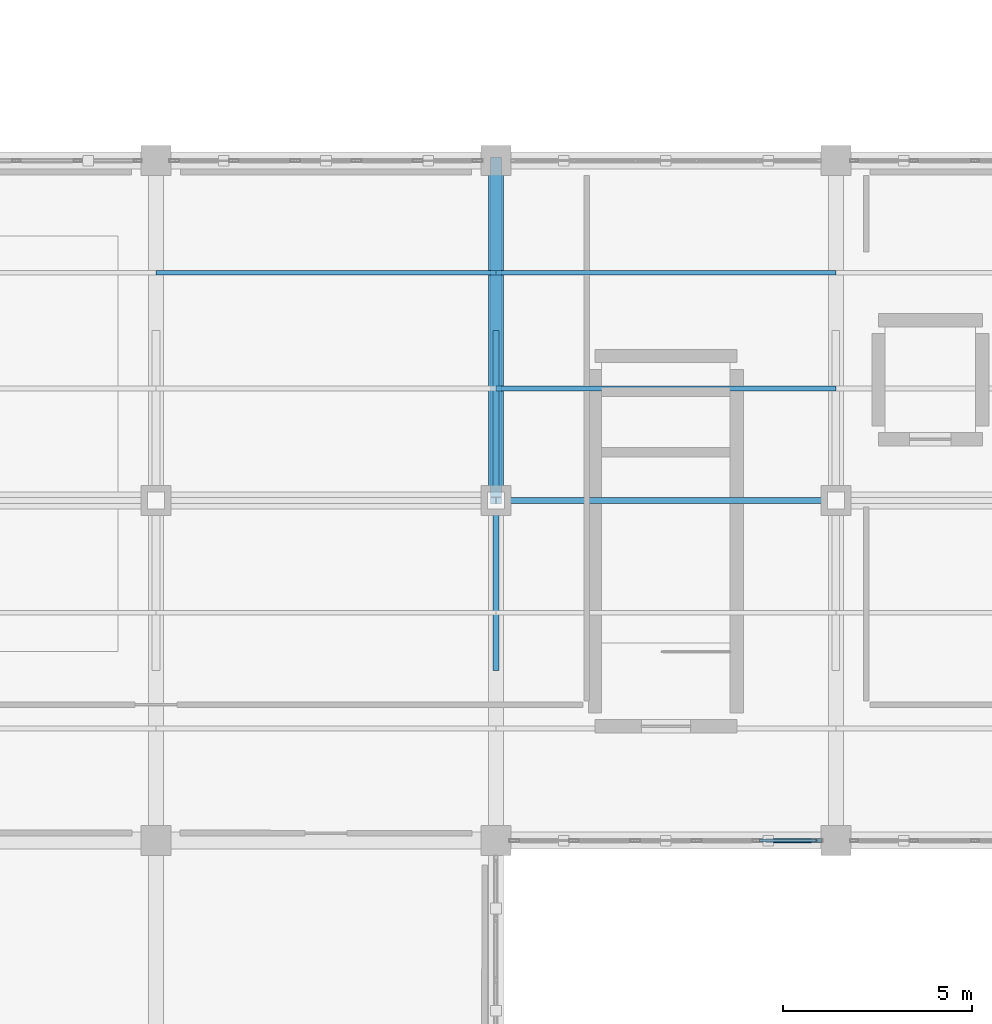
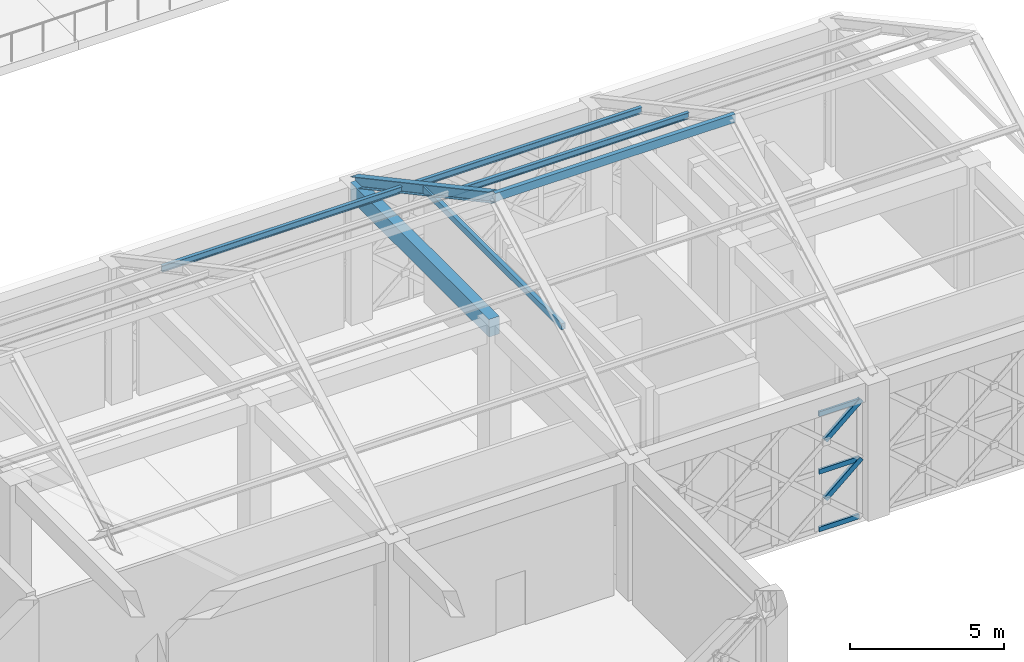
# One storey, part 52 of 86: 11 members, 1 beam, 1 element without a shape of its own.
"""IFC4 building model written with IfcOpenShell, lengths in metres."""

import ifcopenshell
import ifcopenshell.guid

model = None  # the IFC model being written
_history = None  # IfcOwnerHistory: only IFC2X3 demands one
_inside = {}  # id of a spatial element -> (the spatial element, [elements in it])
_under = {}  # id of a project, library or spatial element -> (it, [spatial elements below it])
_declared = {}  # id of a project -> (the project, [libraries it declares])
_typed = {}  # id of a type object -> (the type object, [elements of that type])
_made_of = {}  # id of a material, layer set ... -> (it, [elements and type objects made of it])


def new_model(schema):
    """Start an empty IFC model of exactly this schema.

    Asked for "IFC4X3", IfcOpenShell would pick the latest addendum, in which some entities
    have other attributes; the version numbers below select the first issue.
    IFC2X3 requires an IfcOwnerHistory on every rooted entity: one is made here for all.
    """
    global model, _history
    if schema == "IFC4X3":
        model = ifcopenshell.file(schema_version=(4, 3, 0, 0))
    else:
        model = ifcopenshell.file(schema=schema)
    _inside.clear()
    _under.clear()
    _declared.clear()
    _typed.clear()
    _made_of.clear()
    _history = None
    if model.schema == "IFC2X3":
        org = make("IfcOrganization", Name="unknown")
        user = make(
            "IfcPersonAndOrganization",
            ThePerson=make("IfcPerson", FamilyName="unknown"),
            TheOrganization=org,
        )
        app = make(
            "IfcApplication",
            ApplicationDeveloper=org,
            Version="unknown",
            ApplicationFullName="unknown",
            ApplicationIdentifier="unknown",
        )
        _history = make(
            "IfcOwnerHistory",
            OwningUser=user,
            OwningApplication=app,
            ChangeAction="ADDED",
            CreationDate=0,
        )
    return model


def make(cls, **values):
    """One entity of the class cls with the attributes given. An attribute that is None is left unset."""
    return model.create_entity(
        cls, **{name: value for name, value in values.items() if value is not None}
    )


def rooted(cls, **values):
    """An entity with a GlobalId (a new one), such as an element, a storey or a relation."""
    return make(cls, GlobalId=ifcopenshell.guid.new(), OwnerHistory=_history, **values)


def si_unit(unit_type, name, prefix=None):
    """IfcSIUnit, for example si_unit("LENGTHUNIT", "METRE", prefix="MILLI")."""
    return make("IfcSIUnit", UnitType=unit_type, Prefix=prefix, Name=name)


def assignment(units):
    """IfcUnitAssignment: the units of a project."""
    return None if units is None else make("IfcUnitAssignment", Units=units)


def point(xyz):
    """IfcCartesianPoint."""
    return None if xyz is None else make("IfcCartesianPoint", Coordinates=xyz)


def direction(xyz):
    """IfcDirection."""
    return None if xyz is None else make("IfcDirection", DirectionRatios=xyz)


def frame(location, z_axis=None, x_axis=None):
    """IfcAxis2Placement3D, a coordinate frame: its origin and axes. An axis left out is left unset."""
    return make(
        "IfcAxis2Placement3D",
        Location=point(location),
        Axis=direction(z_axis),
        RefDirection=direction(x_axis),
    )


def frame_2d(location, x_axis=None):
    """IfcAxis2Placement2D, a coordinate frame in the plane: its origin and x axis."""
    return make(
        "IfcAxis2Placement2D", Location=point(location), RefDirection=direction(x_axis)
    )


def origin():
    """The frame at (0, 0, 0) with its axes left unset."""
    return frame((0.0, 0.0, 0.0))


def origin_2d():
    """The frame at (0, 0) in the plane with its x axis left unset."""
    return frame_2d((0.0, 0.0))


def place(relative_to, where):
    """IfcLocalPlacement: puts the frame where relative to a parent placement (None: the world)."""
    return make(
        "IfcLocalPlacement", PlacementRelTo=relative_to, RelativePlacement=where
    )


def context(
    kind, dimensions, precision=None, world=None, true_north=None, identifier=None
):
    """IfcGeometricRepresentationContext, for example the 3D "Model" context."""
    return make(
        "IfcGeometricRepresentationContext",
        ContextIdentifier=identifier,
        ContextType=kind,
        CoordinateSpaceDimension=dimensions,
        Precision=precision,
        WorldCoordinateSystem=world,
        TrueNorth=true_north,
    )


def subcontext(parent, identifier, kind, view, scale=None):
    """IfcGeometricRepresentationSubContext, for example "Body" below "Model"."""
    return make(
        "IfcGeometricRepresentationSubContext",
        ContextIdentifier=identifier,
        ContextType=kind,
        ParentContext=parent,
        TargetScale=scale,
        TargetView=view,
    )


def project(units=None, contexts=None):
    """IfcProject with its units and contexts."""
    return rooted(
        "IfcProject",
        Name="project",
        RepresentationContexts=contexts,
        UnitsInContext=assignment(units),
    )


def spatial(cls, under=None, at=None, **own):
    """A site, building, storey or space (cls), placed at a placement, below another one or the project."""
    s = rooted(cls, ObjectPlacement=at, **own)
    if under is not None:
        _under.setdefault(under.id(), (under, []))[1].append(s)
    return s


def profile(cls, at=None, kind="AREA", **sizes):
    """A parametric profile (cls). Its sizes go by their IFC names, for example OverallWidth=200.0."""
    return make(cls, ProfileType=kind, Position=at, **sizes)


def rectangle(**sizes):
    """IfcRectangleProfileDef."""
    return profile("IfcRectangleProfileDef", **sizes)


def hollow_rectangle(**sizes):
    """IfcRectangleHollowProfileDef."""
    return profile("IfcRectangleHollowProfileDef", **sizes)


def i_section(**sizes):
    """IfcIShapeProfileDef."""
    return profile("IfcIShapeProfileDef", **sizes)


def extrude(swept, where, along, depth):
    """IfcExtrudedAreaSolid: the profile swept, set in the frame where, extruded along a direction by depth."""
    return make(
        "IfcExtrudedAreaSolid",
        SweptArea=swept,
        Position=where,
        ExtrudedDirection=direction(along),
        Depth=depth,
    )


def shape(context_of_items, identifier, shape_type, items):
    """IfcShapeRepresentation: the items that make up one representation, for example the "Body"."""
    return make(
        "IfcShapeRepresentation",
        ContextOfItems=context_of_items,
        RepresentationIdentifier=identifier,
        RepresentationType=shape_type,
        Items=items,
    )


def material(Name=None, Category=None):
    """IfcMaterial."""
    return make("IfcMaterial", Name=Name, Category=Category)


def material_profile(
    of_material, cross_section, Name=None, Category=None, Priority=None
):
    """IfcMaterialProfile: a cross section and its material."""
    return make(
        "IfcMaterialProfile",
        Name=Name,
        Material=of_material,
        Profile=cross_section,
        Priority=Priority,
        Category=Category,
    )


def profile_set(profiles, Name=None, composite=None):
    """IfcMaterialProfileSet."""
    return make(
        "IfcMaterialProfileSet",
        Name=Name,
        MaterialProfiles=profiles,
        CompositeProfile=composite,
    )


def made_of(thing, what):
    """Note that an element or type object is made of a material, layer set ...; save() writes the relation."""
    if what is not None:
        _made_of.setdefault(what.id(), (what, []))[1].append(thing)
    return thing


def type_object(cls, material=None, **own):
    """A type object (cls), such as IfcWallType, which elements share."""
    return made_of(rooted(cls, **own), material)


def element(
    cls,
    number,
    at=None,
    inside=None,
    cuts=None,
    type_object=None,
    material=None,
    context=None,
    identifier="Body",
    shape_type=None,
    held_by="IfcProductDefinitionShape",
    body=None,
    shapes=None,
    **own,
):
    """One element of the class cls, such as IfcWall. Its Tag is "e" and its number.

    at: its placement. inside: the storey or other place that contains it. cuts: it is an
    opening in that element (IfcRelVoidsElement). A single representation is given by context,
    identifier, shape_type and body (its items); several are given by shapes. held_by: the class
    of the entity that holds the representations. save() writes the other relations.
    """
    e = rooted(cls, Tag="e%d" % number, ObjectPlacement=at, **own)
    if body is not None:
        shapes = [shape(context, identifier, shape_type, body)]
    if shapes is not None:
        e.Representation = make(held_by, Representations=shapes)
    if inside is not None:
        _inside.setdefault(inside.id(), (inside, []))[1].append(e)
    if cuts is not None:
        rooted(
            "IfcRelVoidsElement", RelatingBuildingElement=cuts, RelatedOpeningElement=e
        )
    if type_object is not None:
        _typed.setdefault(type_object.id(), (type_object, []))[1].append(e)
    return made_of(e, material)


def aggregate(whole, parts):
    """IfcRelAggregates: a whole, such as a stair, and the parts it consists of."""
    return rooted("IfcRelAggregates", RelatingObject=whole, RelatedObjects=parts)


def save(model, path):
    """Write the relations noted so far, then the file.

    IfcRelAggregates (storeys below a building ...), IfcRelContainedInSpatialStructure (elements
    in a storey), IfcRelDefinesByType, IfcRelAssociatesMaterial and IfcRelDeclares: one each for
    every whole, place, type object, material and project.
    """
    for whole, parts in _under.values():
        aggregate(whole, parts)
    for where, things in _inside.values():
        rooted(
            "IfcRelContainedInSpatialStructure",
            RelatedElements=things,
            RelatingStructure=where,
        )
    for kind, things in _typed.values():
        rooted("IfcRelDefinesByType", RelatedObjects=things, RelatingType=kind)
    for what, things in _made_of.values():
        rooted("IfcRelAssociatesMaterial", RelatedObjects=things, RelatingMaterial=what)
    for by, libraries in _declared.values():
        rooted("IfcRelDeclares", RelatingContext=by, RelatedDefinitions=libraries)
    model.write(path)


model = new_model("IFC4")

# Units and contexts
model_context = context("Model", 3, precision=1e-05, world=origin(), true_north=direction((0.0, 1.0)))
body_context = subcontext(model_context, "Body", "Model", "MODEL_VIEW")
ifc_project = project(units=[si_unit("LENGTHUNIT", "METRE"), si_unit("AREAUNIT", "SQUARE_METRE"), si_unit("VOLUMEUNIT", "CUBIC_METRE"), si_unit("PLANEANGLEUNIT", "RADIAN"), si_unit("MASSUNIT", "GRAM", prefix="KILO")], contexts=[model_context])

# Site, building, storey
site_placement = place(None, origin())
site = spatial("IfcSite", under=ifc_project, at=site_placement, CompositionType="ELEMENT")
building_placement = place(site_placement, origin())
building = spatial("IfcBuilding", under=site, at=building_placement, Name="Haizhuo Lancet Aquarium", CompositionType="ELEMENT")
storey_placement = place(building_placement, frame((0.0, 0.0, 16.199951171875)))
storey = spatial("IfcBuildingStorey", under=building, at=storey_placement, Name="L03", CompositionType="ELEMENT", Elevation=16.199951171875)

# Beam
ifc_material_1 = material(Name="Concrete C40/50", Category="concrete")
ifc_material_profile_1 = material_profile(ifc_material_1, rectangle(XDim=0.39990234375, YDim=0.699951171875, at=origin_2d()), Name="RC-BM 400x700")
ifc_profile_set_1 = profile_set([ifc_material_profile_1], Name="Concrete C40/50")
beam_type = type_object("IfcBeamType", Name="BM-RC-400x700", PredefinedType="BEAM", material=ifc_profile_set_1)
beam_placement = place(storey_placement, frame((54.0, -18.0, 5.050048828125), z_axis=(0.0, 1.0, 0.0), x_axis=(-1.0, 0.0, 0.0)))
element("IfcBeam", 1, at=beam_placement, inside=storey, type_object=beam_type, Name="L03 V3 primary girder BM-L03-V3-024", PredefinedType="BEAM", context=body_context, shape_type="SweptSolid", body=[
    extrude(rectangle(XDim=0.39990234375, YDim=0.699951171875, at=origin_2d()), origin(), (0.0, 0.0, 1.0), 9.0),
])

# Curtain wall, members
ifc_material_2 = material(Name="Aluminium 6063-T6", Category="aluminium")
curtain_wall_type = type_object("IfcCurtainWallType", Name="CWO-8110x4650", PredefinedType="NOTDEFINED", material=ifc_material_2)
curtain_wall_placement = place(storey_placement, origin())
curtain_wall = element("IfcCurtainWall", 2, at=curtain_wall_placement, inside=storey, type_object=curtain_wall_type, Name="L03 curtain wall CW-V3-L03-075", PredefinedType="NOTDEFINED")
ifc_material_profile_2 = material_profile(ifc_material_2, hollow_rectangle(XDim=0.080078125, YDim=0.18994140625, WallThickness=0.0048828125, at=origin_2d()), Name="ALU-T 80x190x5")
ifc_profile_set_2 = profile_set([ifc_material_profile_2], Name="Aluminium 6063-T6")
member_type_1 = type_object("IfcMemberType", Name="CW-TRN-3", PredefinedType="NOTDEFINED", material=ifc_profile_set_2)
member_1_placement = place(storey_placement, frame((62.47509765625, -27.0, 0.0400390625), z_axis=(-1.0, 0.0, 0.0), x_axis=(0.0, -1.0, 0.0)))
member_1 = element("IfcMember", 3, at=member_1_placement, type_object=member_type_1, Name="CWO-81x46 transom 1.1", ObjectType="TRANSOM", PredefinedType="USERDEFINED", context=body_context, shape_type="SweptSolid", body=[
    extrude(hollow_rectangle(XDim=0.080078125, YDim=0.18994140625, WallThickness=0.0048828125, at=origin_2d()), origin(), (0.0, 0.0, 1.0), 1.502197265625),
])
member_2_placement = place(storey_placement, frame((62.47509765625, -27.0, 2.324951171875), z_axis=(-1.0, 0.0, 0.0), x_axis=(0.0, -1.0, 0.0)))
member_2 = element("IfcMember", 4, at=member_2_placement, type_object=member_type_1, Name="CWO-81x46 transom 1.2", ObjectType="TRANSOM", PredefinedType="USERDEFINED", context=body_context, shape_type="SweptSolid", body=[
    extrude(hollow_rectangle(XDim=0.080078125, YDim=0.18994140625, WallThickness=0.0048828125, at=origin_2d()), origin(), (0.0, 0.0, 1.0), 1.502197265625),
])
member_3_placement = place(storey_placement, frame((62.47509765625, -27.0, 4.610107421875), z_axis=(-1.0, 0.0, 0.0), x_axis=(0.0, -1.0, 0.0)))
member_3 = element("IfcMember", 5, at=member_3_placement, type_object=member_type_1, Name="CWO-81x46 transom 1.3", ObjectType="TRANSOM", PredefinedType="USERDEFINED", context=body_context, shape_type="SweptSolid", body=[
    extrude(hollow_rectangle(XDim=0.080078125, YDim=0.18994140625, WallThickness=0.0048828125, at=origin_2d()), origin(), (0.0, 0.0, 1.0), 1.502197265625),
])
aggregate(curtain_wall, [member_1, member_2, member_3])

# Members
ifc_material_3 = material(Name="Steel S355", Category="steel")
ifc_material_profile_3 = material_profile(ifc_material_3, hollow_rectangle(XDim=0.159912109375, YDim=0.320068359375, WallThickness=0.010009765625, at=origin_2d()), Name="RHS 160x320x10")
ifc_profile_set_3 = profile_set([ifc_material_profile_3], Name="Steel S355")
member_type_2 = type_object("IfcMemberType", Name="MEM-CH-RHS160x320", PredefinedType="CHORD", material=ifc_profile_set_3)
member_4_placement = place(storey_placement, frame((54.0, -18.0, 10.216064453125), z_axis=(1.0, 0.0, 0.0), x_axis=(0.0, 1.0, 0.0)))
element("IfcMember", 6, at=member_4_placement, inside=storey, type_object=member_type_2, Name="V3 roof ridge chord 4", PredefinedType="CHORD", context=body_context, shape_type="SweptSolid", body=[
    extrude(hollow_rectangle(XDim=0.159912109375, YDim=0.320068359375, WallThickness=0.010009765625, at=origin_2d()), origin(), (0.0, 0.0, 1.0), 9.0),
])
ifc_material_profile_4 = material_profile(ifc_material_3, hollow_rectangle(XDim=0.14990234375, YDim=0.25, WallThickness=0.010009765625, at=origin_2d()), Name="RHS 150x250x10")
ifc_profile_set_4 = profile_set([ifc_material_profile_4], Name="Steel S355")
member_type_3 = type_object("IfcMemberType", Name="MEM-CL-RHS150x250", PredefinedType="COLLAR", material=ifc_profile_set_4)
member_5_placement = place(storey_placement, frame((54.0, -22.5, 7.79296875), z_axis=(0.0, 1.0, 0.0), x_axis=(-1.0, 0.0, 0.0)))
element("IfcMember", 7, at=member_5_placement, inside=storey, type_object=member_type_3, Name="V3 Gothic roof collar tie 4", PredefinedType="COLLAR", context=body_context, shape_type="SweptSolid", body=[
    extrude(hollow_rectangle(XDim=0.14990234375, YDim=0.25, WallThickness=0.010009765625, at=origin_2d()), origin(), (0.0, 0.0, 1.0), 9.0),
])
ifc_material_profile_5 = material_profile(ifc_material_3, hollow_rectangle(XDim=0.1201171875, YDim=0.199951171875, WallThickness=0.008056640625, at=origin_2d()), Name="RHS 120x200x8")
ifc_profile_set_5 = profile_set([ifc_material_profile_5], Name="Steel S355")
member_type_4 = type_object("IfcMemberType", Name="MEM-LB-RHS120x200", PredefinedType="BRACE", material=ifc_profile_set_5)
member_6_placement = place(storey_placement, frame((61.202880859375, -27.0, 1.162109375), z_axis=(0.758163538361, 0.0, 0.652064451646), x_axis=(0.0, 1.0, 0.0)))
element("IfcMember", 8, at=member_6_placement, inside=storey, type_object=member_type_4, Name="Gothic lancet split diagonal brace CW-V3-L03-075 1B2", PredefinedType="BRACE", context=body_context, shape_type="SweptSolid", body=[
    extrude(hollow_rectangle(XDim=0.1201171875, YDim=0.199951171875, WallThickness=0.008056640625, at=origin_2d()), origin(), (0.0, 0.0, 1.0), 1.783203125),
])
member_7_placement = place(storey_placement, frame((61.202880859375, -27.0, 3.488037109375), z_axis=(0.758366597375, 0.0, 0.651828277989), x_axis=(0.0, 1.0, 0.0)))
element("IfcMember", 9, at=member_7_placement, inside=storey, type_object=member_type_4, Name="Gothic lancet split diagonal brace CW-V3-L03-075 2B2", PredefinedType="BRACE", context=body_context, shape_type="SweptSolid", body=[
    extrude(hollow_rectangle(XDim=0.1201171875, YDim=0.199951171875, WallThickness=0.008056640625, at=origin_2d()), origin(), (0.0, 0.0, 1.0), 1.782958984375),
])
ifc_material_profile_6 = material_profile(ifc_material_3, i_section(OverallWidth=0.125, OverallDepth=0.25, WebThickness=0.006103515625, FlangeThickness=0.009033203125, FilletRadius=0.010009765625, at=origin_2d()), Name="HN 250x125x6x9")
ifc_profile_set_6 = profile_set([ifc_material_profile_6], Name="Steel S355")
member_type_5 = type_object("IfcMemberType", Name="MEM-PR-HN250", PredefinedType="PURLIN", material=ifc_profile_set_6)
for number, where, z_axis, x_axis, name in (
    (10, (45.0, -11.969970703125, 6.859130859375), (1.0, 0.0, 0.0), (0.0, 1.0, 0.0), "V3 north roof purlin 3"),
    (11, (54.0, -11.969970703125, 6.859130859375), (1.0, 0.0, 0.0), (0.0, 1.0, 0.0), "V3 north roof purlin 4"),
    (12, (54.0, -15.030029296875, 8.507080078125), (1.0, 0.0, 0.0), (0.0, 1.0, 0.0), "V3 north roof purlin 4"),
):
    element("IfcMember", number, at=place(storey_placement, frame(where, z_axis=z_axis, x_axis=x_axis)), inside=storey, type_object=member_type_5, Name=name, PredefinedType="PURLIN", context=body_context, shape_type="SweptSolid", body=[
        extrude(i_section(OverallWidth=0.125, OverallDepth=0.25, WebThickness=0.006103515625, FlangeThickness=0.009033203125, FilletRadius=0.010009765625, at=origin_2d()), origin(), (0.0, 0.0, 1.0), 9.0),
    ])
ifc_material_profile_7 = material_profile(ifc_material_3, i_section(OverallWidth=0.300048828125, OverallDepth=0.389892578125, WebThickness=0.010009765625, FlangeThickness=0.01611328125, FilletRadius=0.02001953125, at=origin_2d()), Name="HM 390x300x10x16")
ifc_profile_set_7 = profile_set([ifc_material_profile_7], Name="Steel S355")
member_type_6 = type_object("IfcMemberType", Name="MEM-RF-HM390", PredefinedType="RAFTER", material=ifc_profile_set_7)
member_8_placement = place(storey_placement, frame((54.0, -9.0, 5.3701171875), z_axis=(0.0, -0.880479536064, 0.474084155581), x_axis=(1.0, 0.0, 0.0)))
element("IfcMember", 13, at=member_8_placement, inside=storey, type_object=member_type_6, Name="V3 Gothic pitched roof north rafter 4", PredefinedType="RAFTER", context=body_context, shape_type="SweptSolid", body=[
    extrude(i_section(OverallWidth=0.300048828125, OverallDepth=0.389892578125, WebThickness=0.010009765625, FlangeThickness=0.01611328125, FilletRadius=0.02001953125, at=origin_2d()), origin(), (0.0, 0.0, 1.0), 10.2216796875),
])

save(model, "model.ifc")
